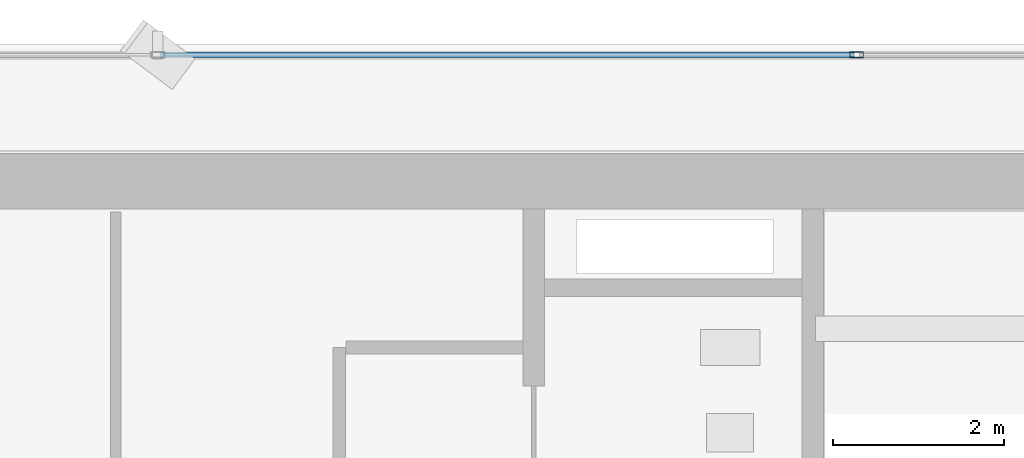
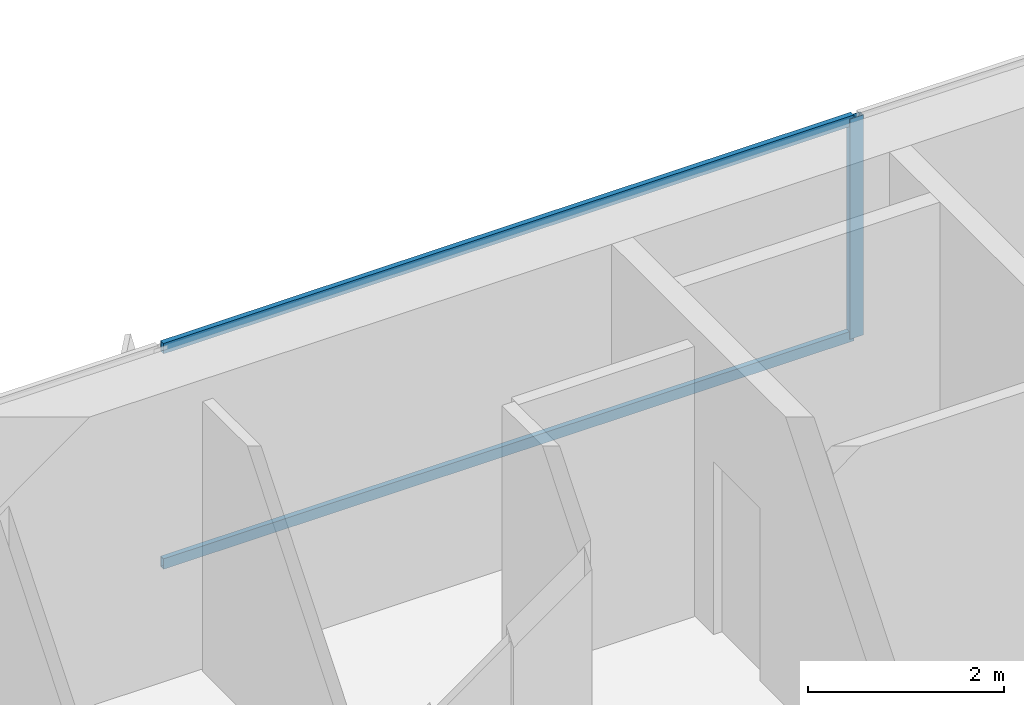
# One storey, part 25 of 37: 3 members, 1 element without a shape of its own.
"""IFC4 building model written with IfcOpenShell, lengths in metres."""

from ifc_helpers import new_model, si_unit, direction, frame, origin, origin_2d, place, context, subcontext, project, spatial, hollow_rectangle, extrude, source, transform, mapped, material, layer, layer_set, material_profile, profile_set, type_object, element, aggregate, save


model = new_model("IFC4")

# Units and contexts
model_context = context("Model", 3, precision=1e-05, world=origin(), true_north=direction((0.0, 1.0)))
body_context = subcontext(model_context, "Body", "Model", "MODEL_VIEW")
ifc_project = project(units=[si_unit("LENGTHUNIT", "METRE"), si_unit("AREAUNIT", "SQUARE_METRE"), si_unit("VOLUMEUNIT", "CUBIC_METRE"), si_unit("PLANEANGLEUNIT", "RADIAN"), si_unit("MASSUNIT", "GRAM", prefix="KILO")], contexts=[model_context])

# Site, building, storey
site_placement = place(None, origin())
site = spatial("IfcSite", under=ifc_project, at=site_placement, CompositionType="ELEMENT")
building_placement = place(site_placement, origin())
building = spatial("IfcBuilding", under=site, at=building_placement, Name="Sumidabori Civic Tower", CompositionType="ELEMENT")
storey_placement = place(building_placement, frame((0.0, 0.0, 81.199951171875)))
storey = spatial("IfcBuildingStorey", under=building, at=storey_placement, Name="L20", CompositionType="ELEMENT", Elevation=81.199951171875)

# Curtain wall, members
ifc_material = material(Name="Anodised Bronze Aluminium AW-6063-T6", Category="aluminium")
ifc_layer = layer(ifc_material, 0.179931640625, Name="Anodised Bronze Aluminium AW-6063-T6")
ifc_layer_set = layer_set([ifc_layer], Name="Anodised Bronze Aluminium AW-6063-T6")
curtain_wall_type = type_object("IfcCurtainWallType", Name="CW-SYS-3", PredefinedType="NOTDEFINED", material=ifc_layer_set)
curtain_wall_placement = place(storey_placement, origin())
curtain_wall = element("IfcCurtainWall", 1, at=curtain_wall_placement, inside=storey, type_object=curtain_wall_type, Name="Curtain Wall CW:L20:R07", PredefinedType="NOTDEFINED")
ifc_material_profile_1 = material_profile(ifc_material, hollow_rectangle(XDim=0.06494140625, YDim=0.159912109375, WallThickness=0.0048828125, at=origin_2d()), Name="ALU MULLION 160x65")
ifc_profile_set_1 = profile_set([ifc_material_profile_1], Name="Anodised Bronze Aluminium AW-6063-T6")
member_type_1 = type_object("IfcMemberType", Name="CW-MUL-160", PredefinedType="MULLION", material=ifc_profile_set_1)
shared_shape_1 = source(origin(), body_context, "Body", "SweptSolid", [
    extrude(hollow_rectangle(XDim=0.06494140625, YDim=0.159912109375, WallThickness=0.0048828125, at=origin_2d()), origin(), (0.0, 0.0, 1.0), 2.739990234375),
])
member_1_placement = place(storey_placement, frame((12.281982421875, 25.280029296875, 0.0), z_axis=(0.0, 0.0, 1.0), x_axis=(0.0, -1.0, 0.0)))
member_1 = element("IfcMember", 2, at=member_1_placement, type_object=member_type_1, Name="CW-3 mullion 2", PredefinedType="MULLION", context=body_context, shape_type="MappedRepresentation", body=[
    mapped(shared_shape_1, transform((0.0, 0.0, 0.0), x_axis=(1.0, 0.0, 0.0), y_axis=(0.0, 1.0, 0.0), z_axis=(0.0, 0.0, 1.0), scale=1.0)),
])
ifc_material_profile_2 = material_profile(ifc_material, hollow_rectangle(XDim=0.06005859375, YDim=0.1298828125, WallThickness=0.0048828125, at=origin_2d()), Name="ALU TRANSOM 130x60")
ifc_profile_set_2 = profile_set([ifc_material_profile_2], Name="Anodised Bronze Aluminium AW-6063-T6")
member_type_2 = type_object("IfcMemberType", Name="CW-TRN-130", PredefinedType="USERDEFINED", material=ifc_profile_set_2)
shared_shape_2 = source(origin(), body_context, "Body", "SweptSolid", [
    extrude(hollow_rectangle(XDim=0.06005859375, YDim=0.1298828125, WallThickness=0.0048828125, at=origin_2d()), origin(), (0.0, 0.0, 1.0), 8.123046875),
])
member_2_placement = place(storey_placement, frame((12.24951171875, 25.280029296875, 0.030029296875), z_axis=(-1.0, 0.0, 0.0), x_axis=(0.0, -1.0, 0.0)))
member_2 = element("IfcMember", 3, at=member_2_placement, type_object=member_type_2, Name="CW-3 transom 2.1", ObjectType="TRANSOM", PredefinedType="USERDEFINED", context=body_context, shape_type="MappedRepresentation", body=[
    mapped(shared_shape_2, transform((0.0, 0.0, 0.0), x_axis=(1.0, 0.0, 0.0), y_axis=(0.0, 1.0, 0.0), z_axis=(0.0, 0.0, 1.0), scale=1.0)),
])
member_3_placement = place(storey_placement, frame((12.24951171875, 25.280029296875, 2.7099609375), z_axis=(-1.0, 0.0, 0.0), x_axis=(0.0, -1.0, 0.0)))
member_3 = element("IfcMember", 4, at=member_3_placement, type_object=member_type_2, Name="CW-3 transom 2.2", ObjectType="TRANSOM", PredefinedType="USERDEFINED", context=body_context, shape_type="MappedRepresentation", body=[
    mapped(shared_shape_2, transform((0.0, 0.0, 0.0), x_axis=(1.0, 0.0, 0.0), y_axis=(0.0, 1.0, 0.0), z_axis=(0.0, 0.0, 1.0), scale=1.0)),
])
aggregate(curtain_wall, [member_1, member_2, member_3])

save(model, "model.ifc")
